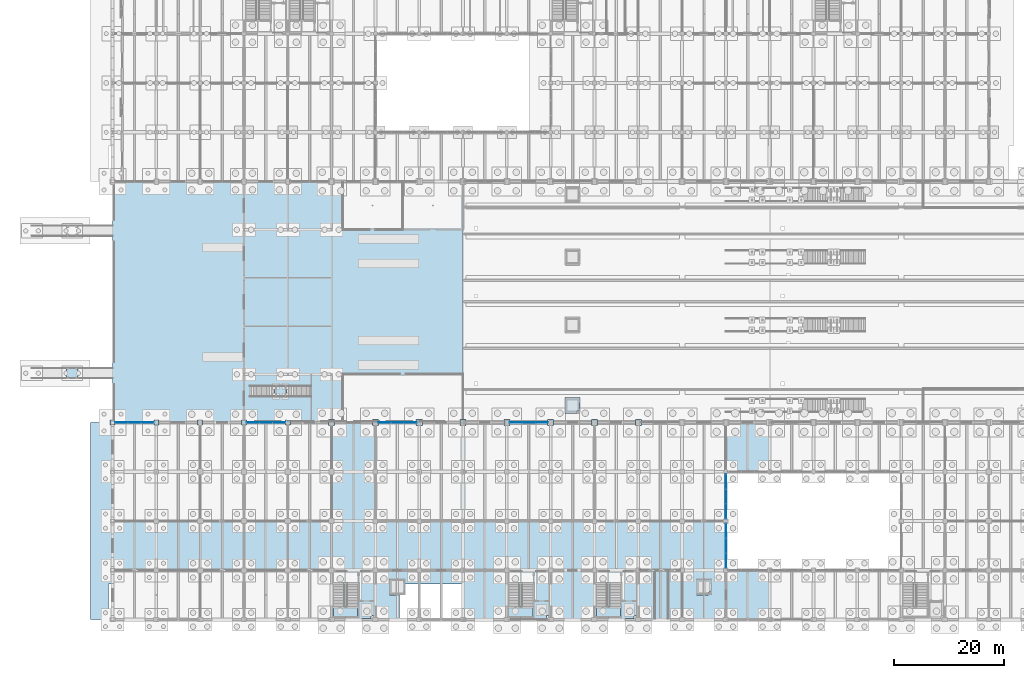
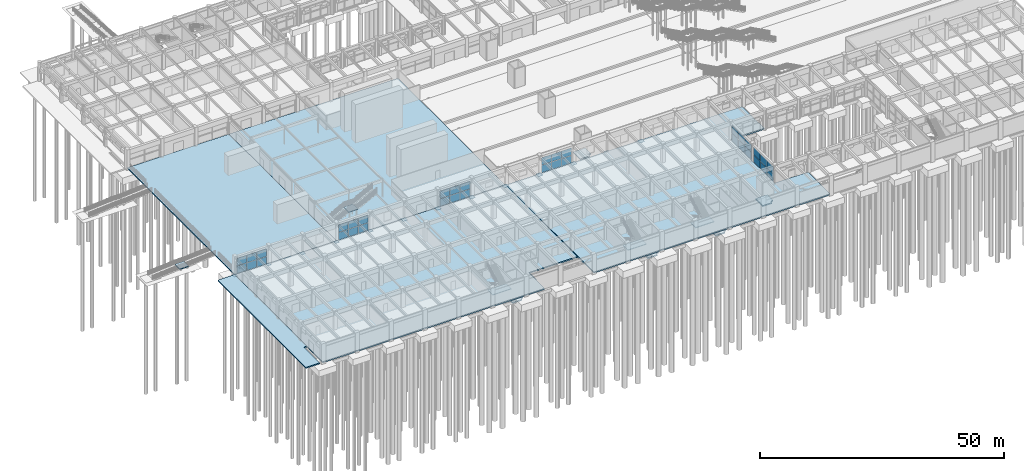
# One storey, part 91 of 147: 49 plates, 16 slabs, 11 elements without a shape of their own.
"""IFC4 building model written with IfcOpenShell, lengths in metres."""

import ifcopenshell
import ifcopenshell.guid

model = None  # the IFC model being written
_history = None  # IfcOwnerHistory: only IFC2X3 demands one
_inside = {}  # id of a spatial element -> (the spatial element, [elements in it])
_under = {}  # id of a project, library or spatial element -> (it, [spatial elements below it])
_declared = {}  # id of a project -> (the project, [libraries it declares])
_typed = {}  # id of a type object -> (the type object, [elements of that type])
_made_of = {}  # id of a material, layer set ... -> (it, [elements and type objects made of it])


def new_model(schema):
    """Start an empty IFC model of exactly this schema.

    Asked for "IFC4X3", IfcOpenShell would pick the latest addendum, in which some entities
    have other attributes; the version numbers below select the first issue.
    IFC2X3 requires an IfcOwnerHistory on every rooted entity: one is made here for all.
    """
    global model, _history
    if schema == "IFC4X3":
        model = ifcopenshell.file(schema_version=(4, 3, 0, 0))
    else:
        model = ifcopenshell.file(schema=schema)
    _inside.clear()
    _under.clear()
    _declared.clear()
    _typed.clear()
    _made_of.clear()
    _history = None
    if model.schema == "IFC2X3":
        org = make("IfcOrganization", Name="unknown")
        user = make(
            "IfcPersonAndOrganization",
            ThePerson=make("IfcPerson", FamilyName="unknown"),
            TheOrganization=org,
        )
        app = make(
            "IfcApplication",
            ApplicationDeveloper=org,
            Version="unknown",
            ApplicationFullName="unknown",
            ApplicationIdentifier="unknown",
        )
        _history = make(
            "IfcOwnerHistory",
            OwningUser=user,
            OwningApplication=app,
            ChangeAction="ADDED",
            CreationDate=0,
        )
    return model


def make(cls, **values):
    """One entity of the class cls with the attributes given. An attribute that is None is left unset."""
    return model.create_entity(
        cls, **{name: value for name, value in values.items() if value is not None}
    )


def rooted(cls, **values):
    """An entity with a GlobalId (a new one), such as an element, a storey or a relation."""
    return make(cls, GlobalId=ifcopenshell.guid.new(), OwnerHistory=_history, **values)


def si_unit(unit_type, name, prefix=None):
    """IfcSIUnit, for example si_unit("LENGTHUNIT", "METRE", prefix="MILLI")."""
    return make("IfcSIUnit", UnitType=unit_type, Prefix=prefix, Name=name)


def assignment(units):
    """IfcUnitAssignment: the units of a project."""
    return None if units is None else make("IfcUnitAssignment", Units=units)


def point(xyz):
    """IfcCartesianPoint."""
    return None if xyz is None else make("IfcCartesianPoint", Coordinates=xyz)


def direction(xyz):
    """IfcDirection."""
    return None if xyz is None else make("IfcDirection", DirectionRatios=xyz)


def frame(location, z_axis=None, x_axis=None):
    """IfcAxis2Placement3D, a coordinate frame: its origin and axes. An axis left out is left unset."""
    return make(
        "IfcAxis2Placement3D",
        Location=point(location),
        Axis=direction(z_axis),
        RefDirection=direction(x_axis),
    )


def frame_2d(location, x_axis=None):
    """IfcAxis2Placement2D, a coordinate frame in the plane: its origin and x axis."""
    return make(
        "IfcAxis2Placement2D", Location=point(location), RefDirection=direction(x_axis)
    )


def origin():
    """The frame at (0, 0, 0) with its axes left unset."""
    return frame((0.0, 0.0, 0.0))


def origin_2d():
    """The frame at (0, 0) in the plane with its x axis left unset."""
    return frame_2d((0.0, 0.0))


def place(relative_to, where):
    """IfcLocalPlacement: puts the frame where relative to a parent placement (None: the world)."""
    return make(
        "IfcLocalPlacement", PlacementRelTo=relative_to, RelativePlacement=where
    )


def context(
    kind, dimensions, precision=None, world=None, true_north=None, identifier=None
):
    """IfcGeometricRepresentationContext, for example the 3D "Model" context."""
    return make(
        "IfcGeometricRepresentationContext",
        ContextIdentifier=identifier,
        ContextType=kind,
        CoordinateSpaceDimension=dimensions,
        Precision=precision,
        WorldCoordinateSystem=world,
        TrueNorth=true_north,
    )


def subcontext(parent, identifier, kind, view, scale=None):
    """IfcGeometricRepresentationSubContext, for example "Body" below "Model"."""
    return make(
        "IfcGeometricRepresentationSubContext",
        ContextIdentifier=identifier,
        ContextType=kind,
        ParentContext=parent,
        TargetScale=scale,
        TargetView=view,
    )


def project(units=None, contexts=None):
    """IfcProject with its units and contexts."""
    return rooted(
        "IfcProject",
        Name="project",
        RepresentationContexts=contexts,
        UnitsInContext=assignment(units),
    )


def spatial(cls, under=None, at=None, **own):
    """A site, building, storey or space (cls), placed at a placement, below another one or the project."""
    s = rooted(cls, ObjectPlacement=at, **own)
    if under is not None:
        _under.setdefault(under.id(), (under, []))[1].append(s)
    return s


def polyline(points):
    """IfcPolyline through the points."""
    return make("IfcPolyline", Points=[point(p) for p in points])


def profile(cls, at=None, kind="AREA", **sizes):
    """A parametric profile (cls). Its sizes go by their IFC names, for example OverallWidth=200.0."""
    return make(cls, ProfileType=kind, Position=at, **sizes)


def rectangle(**sizes):
    """IfcRectangleProfileDef."""
    return profile("IfcRectangleProfileDef", **sizes)


def outline(outer, holes=None, kind="AREA"):
    """IfcArbitraryClosedProfileDef: a profile drawn as a closed curve; with holes, ...WithVoids."""
    if holes is None:
        return make("IfcArbitraryClosedProfileDef", ProfileType=kind, OuterCurve=outer)
    return make(
        "IfcArbitraryProfileDefWithVoids",
        ProfileType=kind,
        OuterCurve=outer,
        InnerCurves=holes,
    )


def extrude(swept, where, along, depth):
    """IfcExtrudedAreaSolid: the profile swept, set in the frame where, extruded along a direction by depth."""
    return make(
        "IfcExtrudedAreaSolid",
        SweptArea=swept,
        Position=where,
        ExtrudedDirection=direction(along),
        Depth=depth,
    )


def shape(context_of_items, identifier, shape_type, items):
    """IfcShapeRepresentation: the items that make up one representation, for example the "Body"."""
    return make(
        "IfcShapeRepresentation",
        ContextOfItems=context_of_items,
        RepresentationIdentifier=identifier,
        RepresentationType=shape_type,
        Items=items,
    )


def material(Name=None, Category=None):
    """IfcMaterial."""
    return make("IfcMaterial", Name=Name, Category=Category)


def layer(
    of_material, thickness, ventilated=None, Name=None, Category=None, Priority=None
):
    """IfcMaterialLayer: one layer of a wall or slab, of a material (None: an air gap)."""
    return make(
        "IfcMaterialLayer",
        Material=of_material,
        LayerThickness=thickness,
        IsVentilated=ventilated,
        Name=Name,
        Category=Category,
        Priority=Priority,
    )


def layer_set(layers, Name=None):
    """IfcMaterialLayerSet."""
    return make("IfcMaterialLayerSet", MaterialLayers=layers, LayerSetName=Name)


def made_of(thing, what):
    """Note that an element or type object is made of a material, layer set ...; save() writes the relation."""
    if what is not None:
        _made_of.setdefault(what.id(), (what, []))[1].append(thing)
    return thing


def type_object(cls, material=None, **own):
    """A type object (cls), such as IfcWallType, which elements share."""
    return made_of(rooted(cls, **own), material)


def element(
    cls,
    number,
    at=None,
    inside=None,
    cuts=None,
    type_object=None,
    material=None,
    context=None,
    identifier="Body",
    shape_type=None,
    held_by="IfcProductDefinitionShape",
    body=None,
    shapes=None,
    **own,
):
    """One element of the class cls, such as IfcWall. Its Tag is "e" and its number.

    at: its placement. inside: the storey or other place that contains it. cuts: it is an
    opening in that element (IfcRelVoidsElement). A single representation is given by context,
    identifier, shape_type and body (its items); several are given by shapes. held_by: the class
    of the entity that holds the representations. save() writes the other relations.
    """
    e = rooted(cls, Tag="e%d" % number, ObjectPlacement=at, **own)
    if body is not None:
        shapes = [shape(context, identifier, shape_type, body)]
    if shapes is not None:
        e.Representation = make(held_by, Representations=shapes)
    if inside is not None:
        _inside.setdefault(inside.id(), (inside, []))[1].append(e)
    if cuts is not None:
        rooted(
            "IfcRelVoidsElement", RelatingBuildingElement=cuts, RelatedOpeningElement=e
        )
    if type_object is not None:
        _typed.setdefault(type_object.id(), (type_object, []))[1].append(e)
    return made_of(e, material)


def aggregate(whole, parts):
    """IfcRelAggregates: a whole, such as a stair, and the parts it consists of."""
    return rooted("IfcRelAggregates", RelatingObject=whole, RelatedObjects=parts)


def save(model, path):
    """Write the relations noted so far, then the file.

    IfcRelAggregates (storeys below a building ...), IfcRelContainedInSpatialStructure (elements
    in a storey), IfcRelDefinesByType, IfcRelAssociatesMaterial and IfcRelDeclares: one each for
    every whole, place, type object, material and project.
    """
    for whole, parts in _under.values():
        aggregate(whole, parts)
    for where, things in _inside.values():
        rooted(
            "IfcRelContainedInSpatialStructure",
            RelatedElements=things,
            RelatingStructure=where,
        )
    for kind, things in _typed.values():
        rooted("IfcRelDefinesByType", RelatedObjects=things, RelatingType=kind)
    for what, things in _made_of.values():
        rooted("IfcRelAssociatesMaterial", RelatedObjects=things, RelatingMaterial=what)
    for by, libraries in _declared.values():
        rooted("IfcRelDeclares", RelatingContext=by, RelatedDefinitions=libraries)
    model.write(path)


model = new_model("IFC4")

# Units and contexts
model_context = context("Model", 3, precision=1e-05, world=origin(), true_north=direction((0.0, 1.0)))
body_context = subcontext(model_context, "Body", "Model", "MODEL_VIEW")
ifc_project = project(units=[si_unit("LENGTHUNIT", "METRE"), si_unit("AREAUNIT", "SQUARE_METRE"), si_unit("VOLUMEUNIT", "CUBIC_METRE"), si_unit("PLANEANGLEUNIT", "RADIAN"), si_unit("MASSUNIT", "GRAM", prefix="KILO")], contexts=[model_context])

# Site, building, storey
site_placement = place(None, origin())
site = spatial("IfcSite", under=ifc_project, at=site_placement, CompositionType="ELEMENT")
building_placement = place(site_placement, origin())
building = spatial("IfcBuilding", under=site, at=building_placement, Name="Varnabhumi Central Station", CompositionType="ELEMENT")
storey_placement = place(building_placement, origin())
storey = spatial("IfcBuildingStorey", under=building, at=storey_placement, Name="L00", CompositionType="ELEMENT", Elevation=0.0)

# Curtain wall, plates
ifc_material_1 = material(Name="Anodised aluminium 6063-T6", Category="aluminium")
curtain_wall_type_1 = type_object("IfcCurtainWallType", Name="CW-SPINE-SCREEN-L0", PredefinedType="NOTDEFINED", material=ifc_material_1)
curtain_wall_1_placement = place(storey_placement, origin())
curtain_wall_1 = element("IfcCurtainWall", 1, at=curtain_wall_1_placement, inside=storey, type_object=curtain_wall_type_1, Name="Curtain Wall CW-SS000", PredefinedType="NOTDEFINED")
ifc_material_2 = material(Name="Laminated low-E double glazing", Category="glass")
ifc_layer_1 = layer(ifc_material_2, 0.035888671875, Name="Laminated low-E double glazing", Category="glass")
ifc_layer_set_1 = layer_set([ifc_layer_1], Name="Laminated low-E double glazing")
plate_type_1 = type_object("IfcPlateType", Name="CW-PNL-GLZ-1", PredefinedType="CURTAIN_PANEL", material=ifc_layer_set_1)
plate_1_placement = place(storey_placement, frame((1.63330078125, 36.0, 0.0400390625), z_axis=(0.0, 0.0, 1.0), x_axis=(1.0, 0.0, 0.0)))
plate_1 = element("IfcPlate", 2, at=plate_1_placement, type_object=plate_type_1, Name="Glazed Panel CW-SS000-P11", PredefinedType="CURTAIN_PANEL", context=body_context, shape_type="SweptSolid", body=[
    extrude(rectangle(XDim=2.28662109375, YDim=0.035888671875, at=origin_2d()), origin(), (0.0, 0.0, 1.0), 1.840087890625),
])
plate_2_placement = place(storey_placement, frame((1.63330078125, 36.0, 1.9599609375), z_axis=(0.0, 0.0, 1.0), x_axis=(1.0, 0.0, 0.0)))
plate_2 = element("IfcPlate", 3, at=plate_2_placement, type_object=plate_type_1, Name="Glazed Panel CW-SS000-P12", PredefinedType="CURTAIN_PANEL", context=body_context, shape_type="SweptSolid", body=[
    extrude(rectangle(XDim=2.28662109375, YDim=0.035888671875, at=origin_2d()), origin(), (0.0, 0.0, 1.0), 1.840087890625),
])
plate_3_placement = place(storey_placement, frame((4.0, 36.0, 0.0400390625), z_axis=(0.0, 0.0, 1.0), x_axis=(1.0, 0.0, 0.0)))
plate_3 = element("IfcPlate", 4, at=plate_3_placement, type_object=plate_type_1, Name="Glazed Panel CW-SS000-P21", PredefinedType="CURTAIN_PANEL", context=body_context, shape_type="SweptSolid", body=[
    extrude(rectangle(XDim=2.28662109375, YDim=0.035888671875, at=origin_2d()), origin(), (0.0, 0.0, 1.0), 1.840087890625),
])
plate_4_placement = place(storey_placement, frame((4.0, 36.0, 1.9599609375), z_axis=(0.0, 0.0, 1.0), x_axis=(1.0, 0.0, 0.0)))
plate_4 = element("IfcPlate", 5, at=plate_4_placement, type_object=plate_type_1, Name="Glazed Panel CW-SS000-P22", PredefinedType="CURTAIN_PANEL", context=body_context, shape_type="SweptSolid", body=[
    extrude(rectangle(XDim=2.28662109375, YDim=0.035888671875, at=origin_2d()), origin(), (0.0, 0.0, 1.0), 1.840087890625),
])
plate_5_placement = place(storey_placement, frame((6.36669921875, 36.0, 0.0400390625), z_axis=(0.0, 0.0, 1.0), x_axis=(1.0, 0.0, 0.0)))
plate_5 = element("IfcPlate", 6, at=plate_5_placement, type_object=plate_type_1, Name="Glazed Panel CW-SS000-P31", PredefinedType="CURTAIN_PANEL", context=body_context, shape_type="SweptSolid", body=[
    extrude(rectangle(XDim=2.28662109375, YDim=0.035888671875, at=origin_2d()), origin(), (0.0, 0.0, 1.0), 1.840087890625),
])
plate_6_placement = place(storey_placement, frame((6.36669921875, 36.0, 1.9599609375), z_axis=(0.0, 0.0, 1.0), x_axis=(1.0, 0.0, 0.0)))
plate_6 = element("IfcPlate", 7, at=plate_6_placement, type_object=plate_type_1, Name="Glazed Panel CW-SS000-P32", PredefinedType="CURTAIN_PANEL", context=body_context, shape_type="SweptSolid", body=[
    extrude(rectangle(XDim=2.28662109375, YDim=0.035888671875, at=origin_2d()), origin(), (0.0, 0.0, 1.0), 1.840087890625),
])
aggregate(curtain_wall_1, [plate_1, plate_2, plate_3, plate_4, plate_5, plate_6])

curtain_wall_2_placement = place(storey_placement, origin())
curtain_wall_2 = element("IfcCurtainWall", 8, at=curtain_wall_2_placement, inside=storey, type_object=curtain_wall_type_1, Name="Curtain Wall CW-SS009", PredefinedType="NOTDEFINED")
plate_7_placement = place(storey_placement, frame((73.63330078125, 36.0, 0.0400390625), z_axis=(0.0, 0.0, 1.0), x_axis=(1.0, 0.0, 0.0)))
plate_7 = element("IfcPlate", 9, at=plate_7_placement, type_object=plate_type_1, Name="Glazed Panel CW-SS009-P11", PredefinedType="CURTAIN_PANEL", context=body_context, shape_type="SweptSolid", body=[
    extrude(rectangle(XDim=2.28662109375, YDim=0.035888671875, at=origin_2d()), origin(), (0.0, 0.0, 1.0), 1.840087890625),
])
plate_8_placement = place(storey_placement, frame((73.63330078125, 36.0, 1.9599609375), z_axis=(0.0, 0.0, 1.0), x_axis=(1.0, 0.0, 0.0)))
plate_8 = element("IfcPlate", 10, at=plate_8_placement, type_object=plate_type_1, Name="Glazed Panel CW-SS009-P12", PredefinedType="CURTAIN_PANEL", context=body_context, shape_type="SweptSolid", body=[
    extrude(rectangle(XDim=2.28662109375, YDim=0.035888671875, at=origin_2d()), origin(), (0.0, 0.0, 1.0), 1.840087890625),
])
plate_9_placement = place(storey_placement, frame((76.0, 36.0, 0.0400390625), z_axis=(0.0, 0.0, 1.0), x_axis=(1.0, 0.0, 0.0)))
plate_9 = element("IfcPlate", 11, at=plate_9_placement, type_object=plate_type_1, Name="Glazed Panel CW-SS009-P21", PredefinedType="CURTAIN_PANEL", context=body_context, shape_type="SweptSolid", body=[
    extrude(rectangle(XDim=2.28662109375, YDim=0.035888671875, at=origin_2d()), origin(), (0.0, 0.0, 1.0), 1.840087890625),
])
plate_10_placement = place(storey_placement, frame((76.0, 36.0, 1.9599609375), z_axis=(0.0, 0.0, 1.0), x_axis=(1.0, 0.0, 0.0)))
plate_10 = element("IfcPlate", 12, at=plate_10_placement, type_object=plate_type_1, Name="Glazed Panel CW-SS009-P22", PredefinedType="CURTAIN_PANEL", context=body_context, shape_type="SweptSolid", body=[
    extrude(rectangle(XDim=2.28662109375, YDim=0.035888671875, at=origin_2d()), origin(), (0.0, 0.0, 1.0), 1.840087890625),
])
plate_11_placement = place(storey_placement, frame((78.36669921875, 36.0, 0.0400390625), z_axis=(0.0, 0.0, 1.0), x_axis=(1.0, 0.0, 0.0)))
plate_11 = element("IfcPlate", 13, at=plate_11_placement, type_object=plate_type_1, Name="Glazed Panel CW-SS009-P31", PredefinedType="CURTAIN_PANEL", context=body_context, shape_type="SweptSolid", body=[
    extrude(rectangle(XDim=2.28662109375, YDim=0.035888671875, at=origin_2d()), origin(), (0.0, 0.0, 1.0), 1.840087890625),
])
plate_12_placement = place(storey_placement, frame((78.36669921875, 36.0, 1.9599609375), z_axis=(0.0, 0.0, 1.0), x_axis=(1.0, 0.0, 0.0)))
plate_12 = element("IfcPlate", 14, at=plate_12_placement, type_object=plate_type_1, Name="Glazed Panel CW-SS009-P32", PredefinedType="CURTAIN_PANEL", context=body_context, shape_type="SweptSolid", body=[
    extrude(rectangle(XDim=2.28662109375, YDim=0.035888671875, at=origin_2d()), origin(), (0.0, 0.0, 1.0), 1.840087890625),
])
aggregate(curtain_wall_2, [plate_7, plate_8, plate_9, plate_10, plate_11, plate_12])

curtain_wall_type_2 = type_object("IfcCurtainWallType", Name="CW-PATIO-LOGGIA-L0", PredefinedType="NOTDEFINED", material=ifc_material_1)
curtain_wall_3_placement = place(storey_placement, origin())
curtain_wall_3 = element("IfcCurtainWall", 15, at=curtain_wall_3_placement, inside=storey, type_object=curtain_wall_type_2, Name="Curtain Wall CW-SP0E1", PredefinedType="NOTDEFINED")
ifc_layer_2 = layer(ifc_material_2, 0.035888671875, Name="Laminated low-E double glazing", Category="glass")
ifc_layer_set_2 = layer_set([ifc_layer_2], Name="Laminated low-E double glazing")
plate_type_2 = type_object("IfcPlateType", Name="CW-PNL-GLZ-3", PredefinedType="CURTAIN_PANEL", material=ifc_layer_set_2)
plate_13_placement = place(storey_placement, frame((112.0, 10.780029296875, 0.0400390625), z_axis=(0.0, 0.0, 1.0), x_axis=(0.0, 1.0, 0.0)))
plate_13 = element("IfcPlate", 16, at=plate_13_placement, type_object=plate_type_2, Name="Glazed Panel CW-SP0E1-P11", PredefinedType="CURTAIN_PANEL", context=body_context, shape_type="SweptSolid", body=[
    extrude(rectangle(XDim=2.639892578125, YDim=0.035888671875, at=origin_2d()), origin(), (0.0, 0.0, 1.0), 1.840087890625),
])
plate_14_placement = place(storey_placement, frame((112.0, 10.780029296875, 1.9599609375), z_axis=(0.0, 0.0, 1.0), x_axis=(0.0, 1.0, 0.0)))
plate_14 = element("IfcPlate", 17, at=plate_14_placement, type_object=plate_type_2, Name="Glazed Panel CW-SP0E1-P12", PredefinedType="CURTAIN_PANEL", context=body_context, shape_type="SweptSolid", body=[
    extrude(rectangle(XDim=2.639892578125, YDim=0.035888671875, at=origin_2d()), origin(), (0.0, 0.0, 1.0), 1.840087890625),
])
plate_15_placement = place(storey_placement, frame((112.0, 13.5, 0.0400390625), z_axis=(0.0, 0.0, 1.0), x_axis=(0.0, 1.0, 0.0)))
plate_15 = element("IfcPlate", 18, at=plate_15_placement, type_object=plate_type_2, Name="Glazed Panel CW-SP0E1-P21", PredefinedType="CURTAIN_PANEL", context=body_context, shape_type="SweptSolid", body=[
    extrude(rectangle(XDim=2.639892578125, YDim=0.035888671875, at=origin_2d()), origin(), (0.0, 0.0, 1.0), 1.840087890625),
])
plate_16_placement = place(storey_placement, frame((112.0, 13.5, 1.9599609375), z_axis=(0.0, 0.0, 1.0), x_axis=(0.0, 1.0, 0.0)))
plate_16 = element("IfcPlate", 19, at=plate_16_placement, type_object=plate_type_2, Name="Glazed Panel CW-SP0E1-P22", PredefinedType="CURTAIN_PANEL", context=body_context, shape_type="SweptSolid", body=[
    extrude(rectangle(XDim=2.639892578125, YDim=0.035888671875, at=origin_2d()), origin(), (0.0, 0.0, 1.0), 1.840087890625),
])
plate_17_placement = place(storey_placement, frame((112.0, 16.219970703125, 0.0400390625), z_axis=(0.0, 0.0, 1.0), x_axis=(0.0, 1.0, 0.0)))
plate_17 = element("IfcPlate", 20, at=plate_17_placement, type_object=plate_type_2, Name="Glazed Panel CW-SP0E1-P31", PredefinedType="CURTAIN_PANEL", context=body_context, shape_type="SweptSolid", body=[
    extrude(rectangle(XDim=2.639892578125, YDim=0.035888671875, at=origin_2d()), origin(), (0.0, 0.0, 1.0), 1.840087890625),
])
plate_18_placement = place(storey_placement, frame((112.0, 16.219970703125, 1.9599609375), z_axis=(0.0, 0.0, 1.0), x_axis=(0.0, 1.0, 0.0)))
plate_18 = element("IfcPlate", 21, at=plate_18_placement, type_object=plate_type_2, Name="Glazed Panel CW-SP0E1-P32", PredefinedType="CURTAIN_PANEL", context=body_context, shape_type="SweptSolid", body=[
    extrude(rectangle(XDim=2.639892578125, YDim=0.035888671875, at=origin_2d()), origin(), (0.0, 0.0, 1.0), 1.840087890625),
])
aggregate(curtain_wall_3, [plate_13, plate_14, plate_15, plate_16, plate_17, plate_18])

curtain_wall_4_placement = place(storey_placement, origin())
curtain_wall_4 = element("IfcCurtainWall", 22, at=curtain_wall_4_placement, inside=storey, type_object=curtain_wall_type_2, Name="Curtain Wall CW-SP0E2", PredefinedType="NOTDEFINED")
plate_19_placement = place(storey_placement, frame((112.0, 19.780029296875, 0.0400390625), z_axis=(0.0, 0.0, 1.0), x_axis=(0.0, 1.0, 0.0)))
plate_19 = element("IfcPlate", 23, at=plate_19_placement, type_object=plate_type_2, Name="Glazed Panel CW-SP0E2-P11", PredefinedType="CURTAIN_PANEL", context=body_context, shape_type="SweptSolid", body=[
    extrude(rectangle(XDim=2.639892578125, YDim=0.035888671875, at=origin_2d()), origin(), (0.0, 0.0, 1.0), 1.840087890625),
])
plate_20_placement = place(storey_placement, frame((112.0, 19.780029296875, 1.9599609375), z_axis=(0.0, 0.0, 1.0), x_axis=(0.0, 1.0, 0.0)))
plate_20 = element("IfcPlate", 24, at=plate_20_placement, type_object=plate_type_2, Name="Glazed Panel CW-SP0E2-P12", PredefinedType="CURTAIN_PANEL", context=body_context, shape_type="SweptSolid", body=[
    extrude(rectangle(XDim=2.639892578125, YDim=0.035888671875, at=origin_2d()), origin(), (0.0, 0.0, 1.0), 1.840087890625),
])
plate_21_placement = place(storey_placement, frame((112.0, 22.5, 0.0400390625), z_axis=(0.0, 0.0, 1.0), x_axis=(0.0, 1.0, 0.0)))
plate_21 = element("IfcPlate", 25, at=plate_21_placement, type_object=plate_type_2, Name="Glazed Panel CW-SP0E2-P21", PredefinedType="CURTAIN_PANEL", context=body_context, shape_type="SweptSolid", body=[
    extrude(rectangle(XDim=2.639892578125, YDim=0.035888671875, at=origin_2d()), origin(), (0.0, 0.0, 1.0), 1.840087890625),
])
plate_22_placement = place(storey_placement, frame((112.0, 22.5, 1.9599609375), z_axis=(0.0, 0.0, 1.0), x_axis=(0.0, 1.0, 0.0)))
plate_22 = element("IfcPlate", 26, at=plate_22_placement, type_object=plate_type_2, Name="Glazed Panel CW-SP0E2-P22", PredefinedType="CURTAIN_PANEL", context=body_context, shape_type="SweptSolid", body=[
    extrude(rectangle(XDim=2.639892578125, YDim=0.035888671875, at=origin_2d()), origin(), (0.0, 0.0, 1.0), 1.840087890625),
])
plate_23_placement = place(storey_placement, frame((112.0, 25.219970703125, 0.0400390625), z_axis=(0.0, 0.0, 1.0), x_axis=(0.0, 1.0, 0.0)))
plate_23 = element("IfcPlate", 27, at=plate_23_placement, type_object=plate_type_2, Name="Glazed Panel CW-SP0E2-P31", PredefinedType="CURTAIN_PANEL", context=body_context, shape_type="SweptSolid", body=[
    extrude(rectangle(XDim=2.639892578125, YDim=0.035888671875, at=origin_2d()), origin(), (0.0, 0.0, 1.0), 1.840087890625),
])
plate_24_placement = place(storey_placement, frame((112.0, 25.219970703125, 1.9599609375), z_axis=(0.0, 0.0, 1.0), x_axis=(0.0, 1.0, 0.0)))
plate_24 = element("IfcPlate", 28, at=plate_24_placement, type_object=plate_type_2, Name="Glazed Panel CW-SP0E2-P32", PredefinedType="CURTAIN_PANEL", context=body_context, shape_type="SweptSolid", body=[
    extrude(rectangle(XDim=2.639892578125, YDim=0.035888671875, at=origin_2d()), origin(), (0.0, 0.0, 1.0), 1.840087890625),
])
aggregate(curtain_wall_4, [plate_19, plate_20, plate_21, plate_22, plate_23, plate_24])

curtain_wall_5_placement = place(storey_placement, origin())
curtain_wall_5 = element("IfcCurtainWall", 29, at=curtain_wall_5_placement, inside=storey, type_object=curtain_wall_type_1, Name="Curtain Wall CW-SS003", PredefinedType="NOTDEFINED")
ifc_layer_3 = layer(ifc_material_2, 0.035888671875, Name="Laminated low-E double glazing", Category="glass")
ifc_layer_set_3 = layer_set([ifc_layer_3], Name="Laminated low-E double glazing")
plate_type_3 = type_object("IfcPlateType", Name="CW-PNL-GLZ-4", PredefinedType="CURTAIN_PANEL", material=ifc_layer_set_3)
plate_25_placement = place(storey_placement, frame((25.63330078125, 36.0, 0.0400390625), z_axis=(0.0, 0.0, 1.0), x_axis=(1.0, 0.0, 0.0)))
plate_25 = element("IfcPlate", 30, at=plate_25_placement, type_object=plate_type_3, Name="Glazed Panel CW-SS003-P11", PredefinedType="CURTAIN_PANEL", context=body_context, shape_type="SweptSolid", body=[
    extrude(rectangle(XDim=2.28662109375, YDim=0.035888671875, at=origin_2d()), origin(), (0.0, 0.0, 1.0), 1.840087890625),
])
plate_26_placement = place(storey_placement, frame((25.63330078125, 36.0, 1.9599609375), z_axis=(0.0, 0.0, 1.0), x_axis=(1.0, 0.0, 0.0)))
plate_26 = element("IfcPlate", 31, at=plate_26_placement, type_object=plate_type_3, Name="Glazed Panel CW-SS003-P12", PredefinedType="CURTAIN_PANEL", context=body_context, shape_type="SweptSolid", body=[
    extrude(rectangle(XDim=2.28662109375, YDim=0.035888671875, at=origin_2d()), origin(), (0.0, 0.0, 1.0), 1.840087890625),
])
plate_27_placement = place(storey_placement, frame((28.0, 36.0, 0.0400390625), z_axis=(0.0, 0.0, 1.0), x_axis=(1.0, 0.0, 0.0)))
plate_27 = element("IfcPlate", 32, at=plate_27_placement, type_object=plate_type_3, Name="Glazed Panel CW-SS003-P21", PredefinedType="CURTAIN_PANEL", context=body_context, shape_type="SweptSolid", body=[
    extrude(rectangle(XDim=2.28662109375, YDim=0.035888671875, at=origin_2d()), origin(), (0.0, 0.0, 1.0), 1.840087890625),
])
plate_28_placement = place(storey_placement, frame((28.0, 36.0, 1.9599609375), z_axis=(0.0, 0.0, 1.0), x_axis=(1.0, 0.0, 0.0)))
plate_28 = element("IfcPlate", 33, at=plate_28_placement, type_object=plate_type_3, Name="Glazed Panel CW-SS003-P22", PredefinedType="CURTAIN_PANEL", context=body_context, shape_type="SweptSolid", body=[
    extrude(rectangle(XDim=2.28662109375, YDim=0.035888671875, at=origin_2d()), origin(), (0.0, 0.0, 1.0), 1.840087890625),
])
plate_29_placement = place(storey_placement, frame((30.36669921875, 36.0, 0.0400390625), z_axis=(0.0, 0.0, 1.0), x_axis=(1.0, 0.0, 0.0)))
plate_29 = element("IfcPlate", 34, at=plate_29_placement, type_object=plate_type_3, Name="Glazed Panel CW-SS003-P31", PredefinedType="CURTAIN_PANEL", context=body_context, shape_type="SweptSolid", body=[
    extrude(rectangle(XDim=2.28662109375, YDim=0.035888671875, at=origin_2d()), origin(), (0.0, 0.0, 1.0), 1.840087890625),
])
plate_30_placement = place(storey_placement, frame((30.36669921875, 36.0, 1.9599609375), z_axis=(0.0, 0.0, 1.0), x_axis=(1.0, 0.0, 0.0)))
plate_30 = element("IfcPlate", 35, at=plate_30_placement, type_object=plate_type_3, Name="Glazed Panel CW-SS003-P32", PredefinedType="CURTAIN_PANEL", context=body_context, shape_type="SweptSolid", body=[
    extrude(rectangle(XDim=2.28662109375, YDim=0.035888671875, at=origin_2d()), origin(), (0.0, 0.0, 1.0), 1.840087890625),
])
aggregate(curtain_wall_5, [plate_25, plate_26, plate_27, plate_28, plate_29, plate_30])

curtain_wall_6_placement = place(storey_placement, origin())
curtain_wall_6 = element("IfcCurtainWall", 36, at=curtain_wall_6_placement, inside=storey, type_object=curtain_wall_type_1, Name="Curtain Wall CW-SS006", PredefinedType="NOTDEFINED")
ifc_layer_4 = layer(ifc_material_2, 0.035888671875, Name="Laminated low-E double glazing", Category="glass")
ifc_layer_set_4 = layer_set([ifc_layer_4], Name="Laminated low-E double glazing")
plate_type_4 = type_object("IfcPlateType", Name="CW-PNL-GLZ-7", PredefinedType="CURTAIN_PANEL", material=ifc_layer_set_4)
plate_31_placement = place(storey_placement, frame((49.63330078125, 36.0, 0.0400390625), z_axis=(0.0, 0.0, 1.0), x_axis=(1.0, 0.0, 0.0)))
plate_31 = element("IfcPlate", 37, at=plate_31_placement, type_object=plate_type_4, Name="Glazed Panel CW-SS006-P11", PredefinedType="CURTAIN_PANEL", context=body_context, shape_type="SweptSolid", body=[
    extrude(rectangle(XDim=2.28662109375, YDim=0.035888671875, at=origin_2d()), origin(), (0.0, 0.0, 1.0), 1.840087890625),
])
plate_32_placement = place(storey_placement, frame((49.63330078125, 36.0, 1.9599609375), z_axis=(0.0, 0.0, 1.0), x_axis=(1.0, 0.0, 0.0)))
plate_32 = element("IfcPlate", 38, at=plate_32_placement, type_object=plate_type_4, Name="Glazed Panel CW-SS006-P12", PredefinedType="CURTAIN_PANEL", context=body_context, shape_type="SweptSolid", body=[
    extrude(rectangle(XDim=2.28662109375, YDim=0.035888671875, at=origin_2d()), origin(), (0.0, 0.0, 1.0), 1.840087890625),
])
plate_33_placement = place(storey_placement, frame((52.0, 36.0, 0.0400390625), z_axis=(0.0, 0.0, 1.0), x_axis=(1.0, 0.0, 0.0)))
plate_33 = element("IfcPlate", 39, at=plate_33_placement, type_object=plate_type_4, Name="Glazed Panel CW-SS006-P21", PredefinedType="CURTAIN_PANEL", context=body_context, shape_type="SweptSolid", body=[
    extrude(rectangle(XDim=2.28662109375, YDim=0.035888671875, at=origin_2d()), origin(), (0.0, 0.0, 1.0), 1.840087890625),
])
plate_34_placement = place(storey_placement, frame((52.0, 36.0, 1.9599609375), z_axis=(0.0, 0.0, 1.0), x_axis=(1.0, 0.0, 0.0)))
plate_34 = element("IfcPlate", 40, at=plate_34_placement, type_object=plate_type_4, Name="Glazed Panel CW-SS006-P22", PredefinedType="CURTAIN_PANEL", context=body_context, shape_type="SweptSolid", body=[
    extrude(rectangle(XDim=2.28662109375, YDim=0.035888671875, at=origin_2d()), origin(), (0.0, 0.0, 1.0), 1.840087890625),
])
plate_35_placement = place(storey_placement, frame((54.36669921875, 36.0, 0.0400390625), z_axis=(0.0, 0.0, 1.0), x_axis=(1.0, 0.0, 0.0)))
plate_35 = element("IfcPlate", 41, at=plate_35_placement, type_object=plate_type_4, Name="Glazed Panel CW-SS006-P31", PredefinedType="CURTAIN_PANEL", context=body_context, shape_type="SweptSolid", body=[
    extrude(rectangle(XDim=2.28662109375, YDim=0.035888671875, at=origin_2d()), origin(), (0.0, 0.0, 1.0), 1.840087890625),
])
plate_36_placement = place(storey_placement, frame((54.36669921875, 36.0, 1.9599609375), z_axis=(0.0, 0.0, 1.0), x_axis=(1.0, 0.0, 0.0)))
plate_36 = element("IfcPlate", 42, at=plate_36_placement, type_object=plate_type_4, Name="Glazed Panel CW-SS006-P32", PredefinedType="CURTAIN_PANEL", context=body_context, shape_type="SweptSolid", body=[
    extrude(rectangle(XDim=2.28662109375, YDim=0.035888671875, at=origin_2d()), origin(), (0.0, 0.0, 1.0), 1.840087890625),
])
aggregate(curtain_wall_6, [plate_31, plate_32, plate_33, plate_34, plate_35, plate_36])

# Plates
ifc_material_3 = material(Name="Structural steel E350", Category="steel")
ifc_layer_5 = layer(ifc_material_3, 0.050048828125, Name="Structural steel E350", Category="steel")
ifc_layer_set_5 = layer_set([ifc_layer_5], Name="Structural steel E350")
plate_type_5 = type_object("IfcPlateType", Name="PLT-BASE-1100", PredefinedType="USERDEFINED", material=ifc_layer_set_5)
for number, where, z_axis, x_axis, name in (
    (43, (40.0, 36.0, -0.2998046875), (0.0, 0.0, 1.0), (1.0, 0.0, 0.0), "Spine Anchor Base Plate 6-E"),
    (44, (48.0, 36.0, -0.2998046875), (0.0, 0.0, 1.0), (1.0, 0.0, 0.0), "Spine Anchor Base Plate 7-E"),
    (45, (56.0, 36.0, -0.2998046875), (0.0, 0.0, 1.0), (1.0, 0.0, 0.0), "Spine Anchor Base Plate 8-E"),
    (46, (64.0, 36.0, -0.2998046875), (0.0, 0.0, 1.0), (1.0, 0.0, 0.0), "Spine Anchor Base Plate 9-E"),
    (47, (72.0, 36.0, -0.2998046875), (0.0, 0.0, 1.0), (1.0, 0.0, 0.0), "Spine Anchor Base Plate 10-E"),
    (48, (80.0, 36.0, -0.2998046875), (0.0, 0.0, 1.0), (1.0, 0.0, 0.0), "Spine Anchor Base Plate 11-E"),
    (49, (88.0, 36.0, -0.2998046875), (0.0, 0.0, 1.0), (1.0, 0.0, 0.0), "Spine Anchor Base Plate 12-E"),
    (50, (96.0, 36.0, -0.2998046875), (0.0, 0.0, 1.0), (1.0, 0.0, 0.0), "Spine Anchor Base Plate 13-E"),
):
    element("IfcPlate", number, at=place(storey_placement, frame(where, z_axis=z_axis, x_axis=x_axis)), inside=storey, type_object=plate_type_5, Name=name, ObjectType="BASE PLATE", PredefinedType="USERDEFINED", context=body_context, shape_type="SweptSolid", body=[
        extrude(rectangle(XDim=1.10009765625, YDim=1.10009765625, at=origin_2d()), origin(), (0.0, 0.0, 1.0), 0.050048828125),
    ])
ifc_layer_6 = layer(ifc_material_3, 0.044921875, Name="Structural steel E350", Category="steel")
ifc_layer_set_6 = layer_set([ifc_layer_6], Name="Structural steel E350")
plate_type_6 = type_object("IfcPlateType", Name="PLT-BASE-900", PredefinedType="USERDEFINED", material=ifc_layer_set_6)
for number, where, z_axis, x_axis, name in (
    (51, (0.0, 36.0, -0.2998046875), (0.0, 0.0, 1.0), (1.0, 0.0, 0.0), "Spine Anchor Base Plate 1-E"),
    (52, (8.0, 36.0, -0.2998046875), (0.0, 0.0, 1.0), (1.0, 0.0, 0.0), "Spine Anchor Base Plate 2-E"),
    (53, (16.0, 36.0, -0.2998046875), (0.0, 0.0, 1.0), (1.0, 0.0, 0.0), "Spine Anchor Base Plate 3-E"),
    (54, (24.0, 36.0, -0.2998046875), (0.0, 0.0, 1.0), (1.0, 0.0, 0.0), "Spine Anchor Base Plate 4-E"),
    (55, (32.0, 36.0, -0.2998046875), (0.0, 0.0, 1.0), (1.0, 0.0, 0.0), "Spine Anchor Base Plate 5-E"),
):
    element("IfcPlate", number, at=place(storey_placement, frame(where, z_axis=z_axis, x_axis=x_axis)), inside=storey, type_object=plate_type_6, Name=name, ObjectType="BASE PLATE", PredefinedType="USERDEFINED", context=body_context, shape_type="SweptSolid", body=[
        extrude(rectangle(XDim=0.89990234375, YDim=0.89990234375, at=origin_2d()), origin(), (0.0, 0.0, 1.0), 0.050048828125),
    ])

# Slabs
ifc_material_4 = material(Name="Concrete M35", Category="concrete")
ifc_layer_7 = layer(ifc_material_4, 0.300048828125, Name="Concrete M35", Category="concrete")
ifc_layer_set_7 = layer_set([ifc_layer_7], Name="Concrete M35")
slab_type_1 = type_object("IfcSlabType", Name="SLB-PLINTH-300", PredefinedType="BASESLAB", material=ifc_layer_set_7)
slab_1_placement = place(storey_placement, frame((0.0, 0.0, -0.300048828125)))
element("IfcSlab", 56, at=slab_1_placement, inside=storey, type_object=slab_type_1, Name="Forecourt Arrival Canopy Plinth Slab", PredefinedType="BASESLAB", context=body_context, shape_type="SweptSolid", body=[
    extrude(outline(polyline([(0.0, 36.0), (24.0, 36.0), (24.0, 80.0), (0.0, 80.0), (0.0, 36.0)])), origin(), (0.0, 0.0, 1.0), 0.300048828125),
])
slab_2_placement = place(storey_placement, frame((0.0, 0.0, -0.300048828125)))
element("IfcSlab", 57, at=slab_2_placement, inside=storey, type_object=slab_type_1, Name="Arrival and Ticket Hall Plinth Slab", PredefinedType="BASESLAB", context=body_context, shape_type="SweptSolid", body=[
    extrude(outline(polyline([(24.0, 36.0), (63.93994140625, 36.0), (63.93994140625, 80.0), (24.0, 80.0), (24.0, 36.0)])), origin(), (0.0, 0.0, 1.0), 0.300048828125),
])
slab_3_placement = place(storey_placement, frame((0.0, 0.0, -0.300048828125)))
element("IfcSlab", 58, at=slab_3_placement, inside=storey, type_object=slab_type_1, Name="South Wing L00 Floor Slab Zone 1", PredefinedType="BASESLAB", context=body_context, shape_type="SweptSolid", body=[
    extrude(outline(polyline([(0.0, 0.0), (52.430908203125, 0.0), (52.430908203125, 6.47998046875), (63.93994140625, 6.47998046875), (63.93994140625, 36.0), (0.0, 36.0), (0.0, 0.0)])), origin(), (0.0, 0.0, 1.0), 0.300048828125),
])
slab_4_placement = place(storey_placement, frame((0.0, 0.0, -0.300048828125)))
element("IfcSlab", 59, at=slab_4_placement, inside=storey, type_object=slab_type_1, Name="South Wing L00 Floor Slab Zone 2", PredefinedType="BASESLAB", context=body_context, shape_type="SweptSolid", body=[
    extrude(outline(polyline([(64.06005859375, 0.0), (119.93994140625, 0.0), (119.93994140625, 9.0), (112.0, 9.0), (112.0, 27.0), (119.93994140625, 27.0), (119.93994140625, 36.0), (64.06005859375, 36.0), (64.06005859375, 0.0)])), origin(), (0.0, 0.0, 1.0), 0.300048828125),
])
slab_5_placement = place(storey_placement, frame((0.0, 0.0, -0.300048828125)))
element("IfcSlab", 60, at=slab_5_placement, inside=storey, type_object=slab_type_1, Name="Exterior Plinth Walkway se_apron", PredefinedType="BASESLAB", context=body_context, shape_type="SweptSolid", body=[
    extrude(outline(polyline([(-4.0, 0.0), (-0.719970703125, 0.0), (-0.719970703125, 6.47998046875), (0.0, 6.47998046875), (0.0, 36.0), (-4.0, 36.0), (-4.0, 0.0)])), origin(), (0.0, 0.0, 1.0), 0.300048828125),
])
slab_6_placement = place(storey_placement, frame((0.0, 0.0, -1.35009765625)))
element("IfcSlab", 61, at=slab_6_placement, inside=storey, type_object=slab_type_1, Name="Lift Pit Base FL-1", PredefinedType="BASESLAB", context=body_context, shape_type="SweptSolid", body=[
    extrude(outline(polyline([(44.949951171875, 0.199951171875), (47.199951171875, 0.199951171875), (47.199951171875, 0.800048828125), (47.800048828125, 0.800048828125), (47.800048828125, 3.39990234375), (44.949951171875, 3.39990234375), (44.949951171875, 0.199951171875)])), origin(), (0.0, 0.0, 1.0), 0.300048828125),
])
slab_7_placement = place(storey_placement, frame((0.0, 0.0, -1.35009765625)))
element("IfcSlab", 62, at=slab_7_placement, inside=storey, type_object=slab_type_1, Name="Lift Pit Base FL-2", PredefinedType="BASESLAB", context=body_context, shape_type="SweptSolid", body=[
    extrude(outline(polyline([(92.949951171875, 0.199951171875), (95.199951171875, 0.199951171875), (95.199951171875, 0.800048828125), (95.800048828125, 0.800048828125), (95.800048828125, 3.39990234375), (92.949951171875, 3.39990234375), (92.949951171875, 0.199951171875)])), origin(), (0.0, 0.0, 1.0), 0.300048828125),
])
slab_8_placement = place(storey_placement, frame((0.0, 0.0, -1.35009765625)))
element("IfcSlab", 63, at=slab_8_placement, inside=storey, type_object=slab_type_1, Name="Lift Pit Base PL-10", PredefinedType="BASESLAB", context=body_context, shape_type="SweptSolid", body=[
    extrude(outline(polyline([(76.949951171875, 0.199951171875), (79.199951171875, 0.199951171875), (79.199951171875, 0.800048828125), (79.800048828125, 0.800048828125), (79.800048828125, 3.39990234375), (76.949951171875, 3.39990234375), (76.949951171875, 0.199951171875)])), origin(), (0.0, 0.0, 1.0), 0.300048828125),
])
slab_9_placement = place(storey_placement, frame((0.0, 0.0, -1.35009765625)))
element("IfcSlab", 64, at=slab_9_placement, inside=storey, type_object=slab_type_1, Name="Lift Pit Base PL-1", PredefinedType="BASESLAB", context=body_context, shape_type="SweptSolid", body=[
    extrude(outline(polyline([(82.60009765625, 37.64990234375), (84.85009765625, 37.64990234375), (84.85009765625, 38.199951171875), (85.39990234375, 38.199951171875), (85.39990234375, 40.550048828125), (82.60009765625, 40.550048828125), (82.60009765625, 37.64990234375)])), origin(), (0.0, 0.0, 1.0), 0.300048828125),
])
slab_10_placement = place(storey_placement, frame((0.0, 0.0, -1.35009765625)))
element("IfcSlab", 65, at=slab_10_placement, inside=storey, type_object=slab_type_1, Name="Lift Pit Base GL-2", PredefinedType="BASESLAB", context=body_context, shape_type="SweptSolid", body=[
    extrude(outline(polyline([(50.60009765625, 4.550048828125), (52.85009765625, 4.550048828125), (52.85009765625, 5.10009765625), (53.39990234375, 5.10009765625), (53.39990234375, 7.449951171875), (50.60009765625, 7.449951171875), (50.60009765625, 4.550048828125)])), origin(), (0.0, 0.0, 1.0), 0.300048828125),
])
slab_11_placement = place(storey_placement, frame((0.0, 0.0, -1.35009765625)))
element("IfcSlab", 66, at=slab_11_placement, inside=storey, type_object=slab_type_1, Name="Lift Pit Base PL-8", PredefinedType="BASESLAB", context=body_context, shape_type="SweptSolid", body=[
    extrude(outline(polyline([(106.60009765625, 4.550048828125), (108.85009765625, 4.550048828125), (108.85009765625, 5.10009765625), (109.39990234375, 5.10009765625), (109.39990234375, 7.449951171875), (106.60009765625, 7.449951171875), (106.60009765625, 4.550048828125)])), origin(), (0.0, 0.0, 1.0), 0.300048828125),
])

# Ramp, slab
ifc_material_5 = material(Name="Concrete M40", Category="concrete")
ramp_type = type_object("IfcRampType", Name="RAMP-PLINTH-1800", PredefinedType="TWO_STRAIGHT_RUN_RAMP", material=ifc_material_5)
ramp_placement = place(storey_placement, origin())
ramp = element("IfcRamp", 67, at=ramp_placement, inside=storey, type_object=ramp_type, Name="Accessible Plinth Ramp RMP-FC-S", PredefinedType="TWO_STRAIGHT_RUN_RAMP")
ifc_layer_8 = layer(ifc_material_5, 0.219970703125, Name="Concrete M40", Category="concrete")
ifc_layer_set_8 = layer_set([ifc_layer_8], Name="Concrete M40")
slab_type_2 = type_object("IfcSlabType", Name="SLB-RAMP-LANDING", PredefinedType="LANDING", material=ifc_layer_set_8)
slab_12_placement = place(storey_placement, frame((0.0, 0.0, -0.7451171875)))
slab_12 = element("IfcSlab", 68, at=slab_12_placement, type_object=slab_type_2, Name="RMP-FC-S Intermediate Landing", PredefinedType="LANDING", context=body_context, shape_type="SweptSolid", body=[
    extrude(outline(polyline([(-8.39990234375, 44.0), (-6.300048828125, 44.0), (-6.300048828125, 46.0), (-8.39990234375, 46.0), (-8.39990234375, 44.0)])), origin(), (0.0, 0.0, 1.0), 0.22021484375),
])
aggregate(ramp, [slab_12])

# Stair, slab
stair_type_1 = type_object("IfcStairType", Name="STR-CORE-4800", PredefinedType="DOUBLE_RETURN_STAIR", material=ifc_material_5)
stair_1_placement = place(storey_placement, origin())
stair_1 = element("IfcStair", 69, at=stair_1_placement, inside=storey, type_object=stair_type_1, Name="Core Stair ST-S1 (L00)", PredefinedType="DOUBLE_RETURN_STAIR")
ifc_layer_9 = layer(ifc_material_5, 0.179931640625, Name="Concrete M40", Category="concrete")
ifc_layer_set_9 = layer_set([ifc_layer_9], Name="Concrete M40")
slab_type_3 = type_object("IfcSlabType", Name="SLB-STAIR-LAND", PredefinedType="LANDING", material=ifc_layer_set_9)
slab_13_placement = place(storey_placement, frame((0.0, 0.0, 2.219970703125)))
slab_13 = element("IfcSlab", 70, at=slab_13_placement, type_object=slab_type_3, Name="ST-S1 L00 Half Landing", PredefinedType="LANDING", context=body_context, shape_type="SweptSolid", body=[
    extrude(outline(polyline([(40.340087890625, 0.360107421875), (44.760009765625, 0.360107421875), (44.760009765625, 2.385009765625), (40.340087890625, 2.385009765625), (40.340087890625, 0.360107421875)])), origin(), (0.0, 0.0, 1.0), 0.179931640625),
])
aggregate(stair_1, [slab_13])

stair_2_placement = place(storey_placement, origin())
stair_2 = element("IfcStair", 71, at=stair_2_placement, inside=storey, type_object=stair_type_1, Name="Core Stair ST-S2 (L00)", PredefinedType="DOUBLE_RETURN_STAIR")
slab_14_placement = place(storey_placement, frame((0.0, 0.0, 2.219970703125)))
slab_14 = element("IfcSlab", 72, at=slab_14_placement, type_object=slab_type_3, Name="ST-S2 L00 Half Landing", PredefinedType="LANDING", context=body_context, shape_type="SweptSolid", body=[
    extrude(outline(polyline([(88.340087890625, 0.360107421875), (92.760009765625, 0.360107421875), (92.760009765625, 2.385009765625), (88.340087890625, 2.385009765625), (88.340087890625, 0.360107421875)])), origin(), (0.0, 0.0, 1.0), 0.179931640625),
])
aggregate(stair_2, [slab_14])

stair_3_placement = place(storey_placement, origin())
stair_3 = element("IfcStair", 73, at=stair_3_placement, inside=storey, type_object=stair_type_1, Name="Core Stair ST-S4 (L00)", PredefinedType="DOUBLE_RETURN_STAIR")
slab_15_placement = place(storey_placement, frame((0.0, 0.0, 2.219970703125)))
slab_15 = element("IfcSlab", 74, at=slab_15_placement, type_object=slab_type_3, Name="ST-S4 L00 Half Landing", PredefinedType="LANDING", context=body_context, shape_type="SweptSolid", body=[
    extrude(outline(polyline([(72.340087890625, 0.360107421875), (76.760009765625, 0.360107421875), (76.760009765625, 2.385009765625), (72.340087890625, 2.385009765625), (72.340087890625, 0.360107421875)])), origin(), (0.0, 0.0, 1.0), 0.179931640625),
])
aggregate(stair_3, [slab_15])

stair_type_2 = type_object("IfcStairType", Name="STR-MEZZ-4800", PredefinedType="TWO_STRAIGHT_RUN_STAIR", material=ifc_material_5)
stair_4_placement = place(storey_placement, origin())
stair_4 = element("IfcStair", 75, at=stair_4_placement, inside=storey, type_object=stair_type_2, Name="Arrival Hall Mezzanine Grand Stair", PredefinedType="TWO_STRAIGHT_RUN_STAIR")
slab_16_placement = place(storey_placement, frame((0.0, 0.0, 2.219970703125)))
slab_16 = element("IfcSlab", 76, at=slab_16_placement, type_object=slab_type_3, Name="Mezzanine Stair Half Landing", PredefinedType="LANDING", context=body_context, shape_type="SweptSolid", body=[
    extrude(outline(polyline([(29.60009765625, 40.64990234375), (31.800048828125, 40.64990234375), (31.800048828125, 42.75), (29.60009765625, 42.75), (29.60009765625, 40.64990234375)])), origin(), (0.0, 0.0, 1.0), 0.179931640625),
])
aggregate(stair_4, [slab_16])

save(model, "model.ifc")
